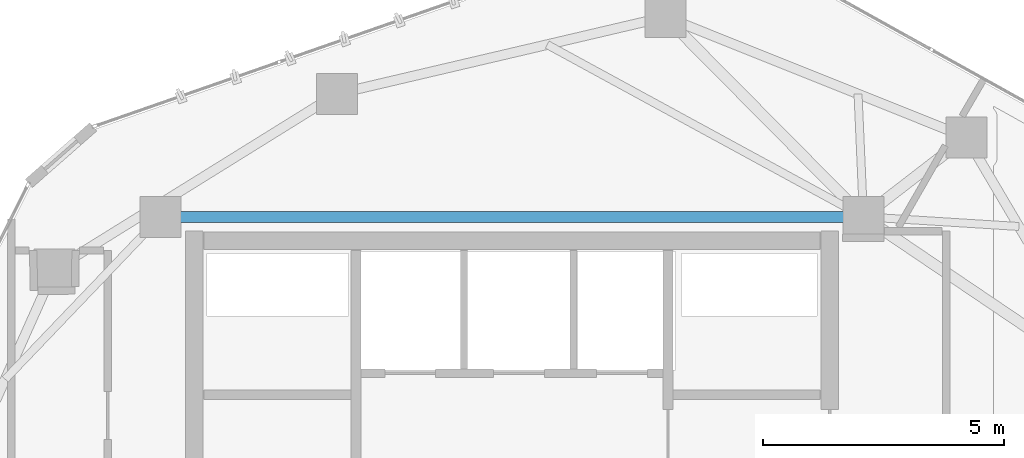
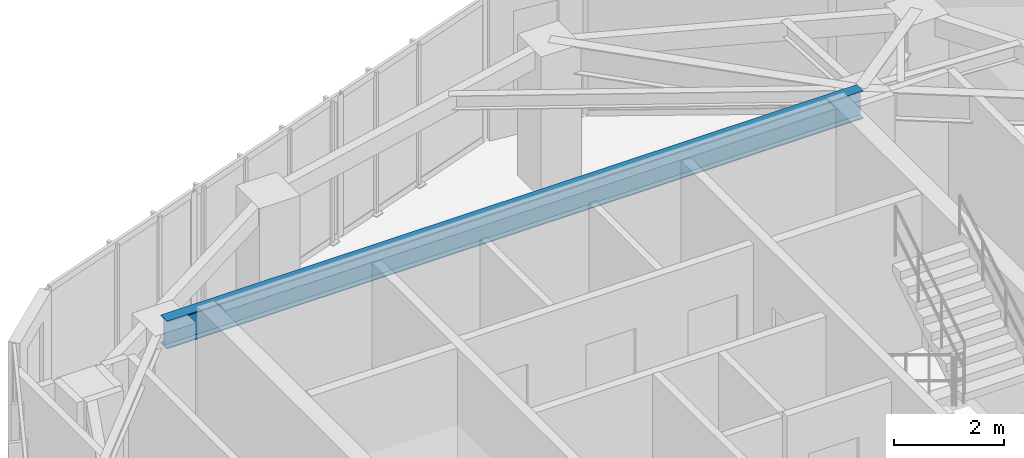
# One storey, part 10 of 20: 1 beam.
"""IFC4 building model written with IfcOpenShell, lengths in metres."""

from ifc_helpers import new_model, si_unit, direction, frame, origin, origin_2d, place, context, subcontext, project, spatial, i_section, extrude, material, material_profile, profile_set, type_object, element, save


model = new_model("IFC4")

# Units and contexts
model_context = context("Model", 3, precision=1e-05, world=origin(), true_north=direction((0.0, 1.0)))
body_context = subcontext(model_context, "Body", "Model", "MODEL_VIEW")
ifc_project = project(units=[si_unit("LENGTHUNIT", "METRE"), si_unit("AREAUNIT", "SQUARE_METRE"), si_unit("VOLUMEUNIT", "CUBIC_METRE"), si_unit("PLANEANGLEUNIT", "RADIAN"), si_unit("MASSUNIT", "GRAM", prefix="KILO")], contexts=[model_context])

# Site, building, storey
site_placement = place(None, origin())
site = spatial("IfcSite", under=ifc_project, at=site_placement, CompositionType="ELEMENT")
building_placement = place(site_placement, origin())
building = spatial("IfcBuilding", under=site, at=building_placement, Name="Talar Marvaseh", CompositionType="ELEMENT")
storey_placement = place(building_placement, frame((0.0, 0.0, 285.0)))
storey = spatial("IfcBuildingStorey", under=building, at=storey_placement, Name="L76", CompositionType="ELEMENT", Elevation=285.0)

# Beam
ifc_material = material(Name="Steel S355", Category="steel")
ifc_material_profile = material_profile(ifc_material, i_section(OverallWidth=0.22998046875, OverallDepth=0.616943359375, WebThickness=0.01318359375, FlangeThickness=0.022216796875, at=origin_2d()), Name="W610x140")
ifc_profile_set = profile_set([ifc_material_profile], Name="Steel S355")
beam_type = type_object("IfcBeamType", Name="Zone 4 Radial Floor Girder W610x140", PredefinedType="BEAM", material=ifc_profile_set)
beam_placement = place(storey_placement, frame((18.699951171875, 36.89990234375, 2.83154296875), z_axis=(1.0, 0.0, 0.0), x_axis=(0.0, 1.0, 0.0)))
element("IfcBeam", 1, at=beam_placement, inside=storey, type_object=beam_type, Name="L76 Zone 4 Radial Floor Girder W610x140", PredefinedType="BEAM", context=body_context, shape_type="SweptSolid", body=[
    extrude(i_section(OverallWidth=0.22998046875, OverallDepth=0.616943359375, WebThickness=0.01318359375, FlangeThickness=0.022216796875, at=origin_2d()), origin(), (0.0, 0.0, 1.0), 14.60009765625),
])

save(model, "model.ifc")
